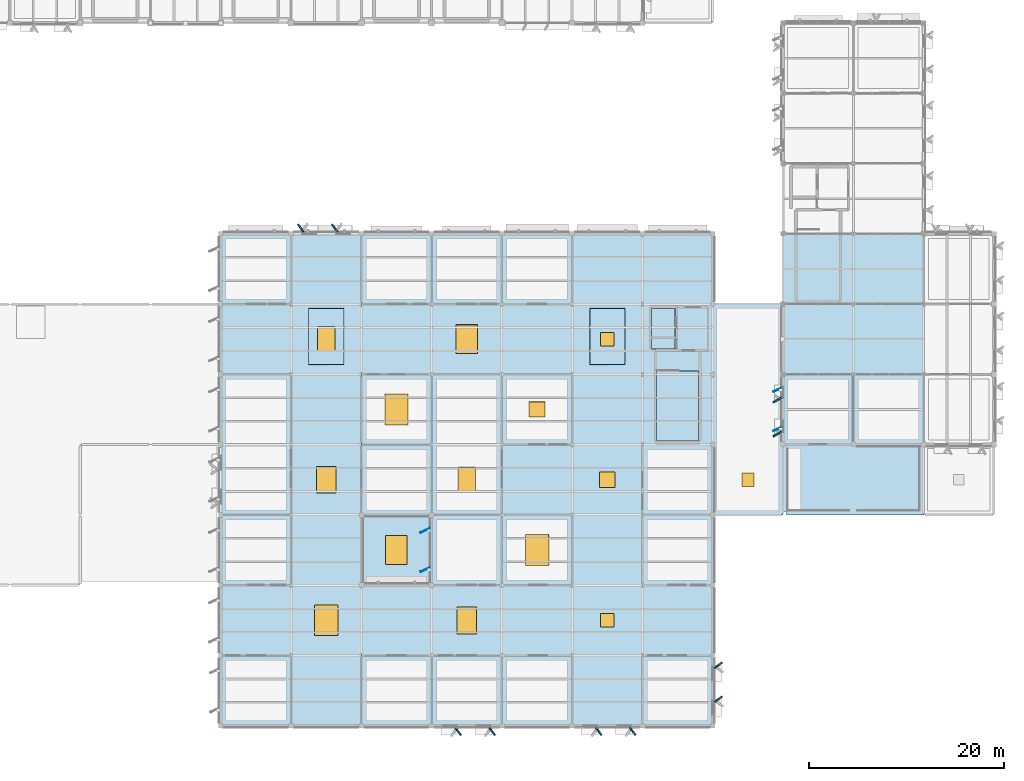
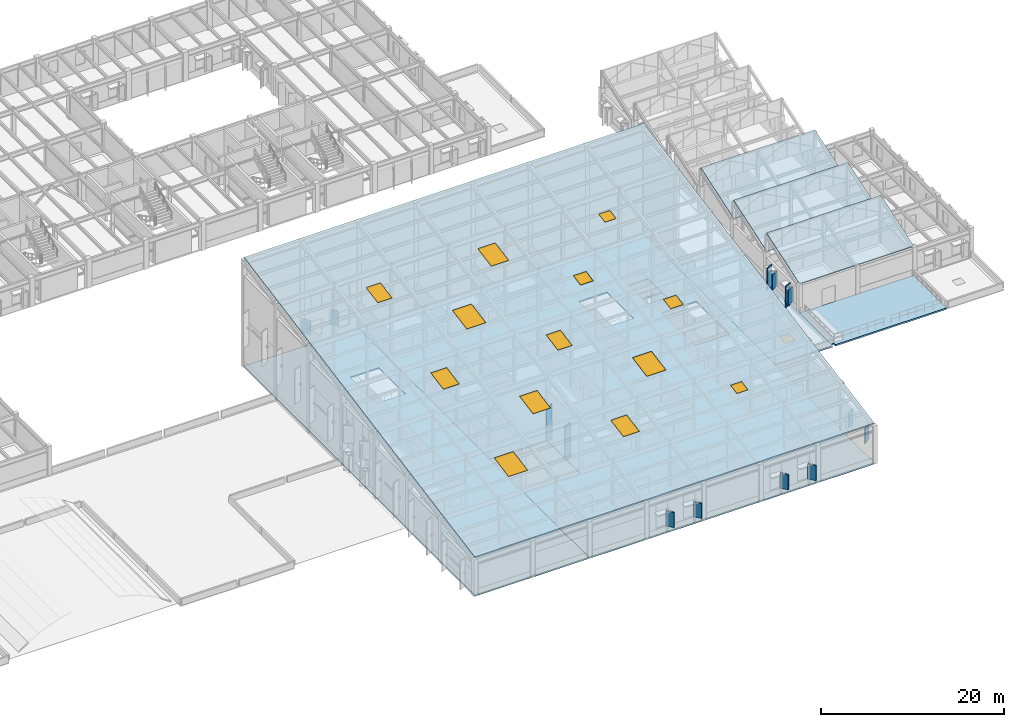
# One storey, part 23 of 82: 14 plates, 13 windows, 8 slabs, 1 door, 14 openings.
"""IFC4 building model written with IfcOpenShell, lengths in metres."""

from ifc_helpers import new_model, si_unit, direction, frame, origin, origin_2d, place, context, subcontext, project, spatial, polyline, rectangle, outline, extrude, material, layer, layer_set, type_object, element, fill, save


model = new_model("IFC4")

# Units and contexts
model_context = context("Model", 3, precision=1e-05, world=origin(), true_north=direction((0.0, 1.0)))
body_context = subcontext(model_context, "Body", "Model", "MODEL_VIEW")
ifc_project = project(units=[si_unit("LENGTHUNIT", "METRE"), si_unit("AREAUNIT", "SQUARE_METRE"), si_unit("VOLUMEUNIT", "CUBIC_METRE"), si_unit("PLANEANGLEUNIT", "RADIAN"), si_unit("MASSUNIT", "GRAM", prefix="KILO")], contexts=[model_context])

# Site, building, storey
site_placement = place(None, origin())
site = spatial("IfcSite", under=ifc_project, at=site_placement, CompositionType="ELEMENT")
building_placement = place(site_placement, origin())
building = spatial("IfcBuilding", under=site, at=building_placement, Name="Sillqori Civic Hall", CompositionType="ELEMENT")
storey_placement = place(building_placement, frame((0.0, 0.0, 14.10009765625)))
storey = spatial("IfcBuildingStorey", under=building, at=storey_placement, Name="L04", CompositionType="ELEMENT", Elevation=14.10009765625)

# Plates
ifc_material_1 = material(Name="Precast concrete C40/50 (H40)", Category="concrete")
ifc_layer_1 = layer(ifc_material_1, 0.159912109375)
ifc_layer_set_1 = layer_set([ifc_layer_1], Name="Precast concrete C40/50 (H40)")
plate_type_1 = type_object("IfcPlateType", Name="FIN-WEST-350", PredefinedType="USERDEFINED", material=ifc_layer_set_1)
for number, where, z_axis, x_axis, name in (
    (1, (121.824951171875, 37.590087890625, 0.14990234375), (0.0, 0.0, 1.0), (-0.422618261741, 0.906307787037, 0.0), "L04 west brise-soleil fin L04-17-05-W.1"),
    (2, (121.824951171875, 41.610107421875, 0.14990234375), (0.0, 0.0, 1.0), (-0.422618261741, 0.906307787037, 0.0), "L04 west brise-soleil fin L04-17-05-W.2"),
):
    element("IfcPlate", number, at=place(storey_placement, frame(where, z_axis=z_axis, x_axis=x_axis)), inside=storey, type_object=plate_type_1, Name=name, ObjectType="SOLAR_FIN", PredefinedType="USERDEFINED", context=body_context, shape_type="SweptSolid", body=[
        extrude(rectangle(XDim=0.090087890625, YDim=0.8798828125, at=origin_2d()), origin(), (0.0, 0.0, 1.0), 2.89990234375),
    ])
ifc_layer_2 = layer(ifc_material_1, 0.179931640625)
ifc_layer_set_2 = layer_set([ifc_layer_2], Name="Precast concrete C40/50 (H40)")
plate_type_2 = type_object("IfcPlateType", Name="FIN-WEST-460", PredefinedType="USERDEFINED", material=ifc_layer_set_2)
for number, where, z_axis, x_axis, name in (
    (3, (85.735107421875, 23.18994140625, 1.182373046875), (0.0, 0.0, 1.0), (-0.422618261741, 0.906307787037, 0.0), "L04 west brise-soleil fin L04-12-03-W.1"),
    (4, (85.735107421875, 27.2099609375, 1.182373046875), (0.0, 0.0, 1.0), (-0.422618261741, 0.906307787037, 0.0), "L04 west brise-soleil fin L04-12-03-W.2"),
):
    element("IfcPlate", number, at=place(storey_placement, frame(where, z_axis=z_axis, x_axis=x_axis)), inside=storey, type_object=plate_type_2, Name=name, ObjectType="SOLAR_FIN", PredefinedType="USERDEFINED", context=body_context, shape_type="SweptSolid", body=[
        extrude(rectangle(XDim=0.090087890625, YDim=1.0400390625, at=origin_2d()), origin(), (0.0, 0.0, 1.0), 4.60009765625),
    ])
ifc_layer_3 = layer(ifc_material_1, 0.159912109375)
ifc_layer_set_3 = layer_set([ifc_layer_3], Name="Precast concrete C40/50 (H40)")
plate_type_3 = type_object("IfcPlateType", Name="REV-SAW-200", PredefinedType="USERDEFINED", material=ifc_layer_set_3)
for number, where, z_axis, x_axis, name in (
    (5, (72.998046875, 58.179931640625, 1.0), (0.0, 0.0, 1.0), (0.809016994375, 0.587785252292, 0.0), "Sawtooth stone window reveal L04-10-07-N.1"),
    (6, (76.48193359375, 58.179931640625, 1.0), (0.0, 0.0, 1.0), (0.809016994375, 0.587785252292, 0.0), "Sawtooth stone window reveal L04-10-07-N.2"),
    (7, (92.60205078125, 6.6201171875, 1.0), (0.0, 0.0, 1.0), (-0.809016994375, -0.587785252292, 0.0), "Sawtooth stone window reveal L04-12-01-S.1"),
    (8, (89.117919921875, 6.6201171875, 1.0), (0.0, 0.0, 1.0), (-0.809016994375, -0.587785252292, 0.0), "Sawtooth stone window reveal L04-12-01-S.2"),
    (9, (107.001953125, 6.6201171875, 1.0), (0.0, 0.0, 1.0), (-0.809016994375, -0.587785252292, 0.0), "Sawtooth stone window reveal L04-14-01-S.1"),
    (10, (103.51806640625, 6.6201171875, 1.0), (0.0, 0.0, 1.0), (-0.809016994375, -0.587785252292, 0.0), "Sawtooth stone window reveal L04-14-01-S.2"),
    (11, (115.780029296875, 13.402099609375, 1.0), (0.0, 0.0, 1.0), (0.587785252292, -0.809016994375, 0.0), "Sawtooth stone window reveal L04-15-01-E.1"),
    (12, (115.780029296875, 9.91796875, 1.0), (0.0, 0.0, 1.0), (0.587785252292, -0.809016994375, 0.0), "Sawtooth stone window reveal L04-15-01-E.2"),
    (13, (121.830078125, 37.097900390625, 0.7998046875), (0.0, 0.0, 1.0), (-0.5, 0.866025403784, 0.0), "Sawtooth stone window reveal L04-17-05-W.1"),
    (14, (121.830078125, 40.58203125, 0.7998046875), (0.0, 0.0, 1.0), (-0.5, 0.866025403784, 0.0), "Sawtooth stone window reveal L04-17-05-W.2"),
):
    element("IfcPlate", number, at=place(storey_placement, frame(where, z_axis=z_axis, x_axis=x_axis)), inside=storey, type_object=plate_type_3, Name=name, ObjectType="REVEAL_PANEL", PredefinedType="USERDEFINED", context=body_context, shape_type="SweptSolid", body=[
        extrude(rectangle(XDim=0.159912109375, YDim=0.97998046875, at=origin_2d()), origin(), (0.0, 0.0, 1.0), 2.0),
    ])

# Slabs
ifc_material_2 = material(Name="Concrete C30/37 (H30)", Category="concrete")
ifc_layer_4 = layer(ifc_material_2, 0.179931640625)
ifc_layer_set_4 = layer_set([ifc_layer_4], Name="Concrete C30/37 (H30)")
slab_type_1 = type_object("IfcSlabType", Name="SLB-CLER-180", PredefinedType="ROOF", material=ifc_layer_set_4)
for number, where, z_axis, x_axis, name in (
    (15, (122.39990234375, 36.0, 3.89990234375), (0.0, -0.316218115397, 0.948686514869), (1.0, 0.0, 0.0), "Library folded north-light clerestory roof bay 5"),
    (16, (122.39990234375, 43.199951171875, 3.89990234375), (0.0, -0.316218115397, 0.948686514869), (1.0, 0.0, 0.0), "Library folded north-light clerestory roof bay 6"),
):
    element("IfcSlab", number, at=place(storey_placement, frame(where, z_axis=z_axis, x_axis=x_axis)), inside=storey, type_object=slab_type_1, Name=name, PredefinedType="ROOF", context=body_context, shape_type="SweptSolid", body=[
        extrude(outline(polyline([(0.0, 0.0), (14.400146484375, 0.0), (14.400146484375, 7.589389180752357), (0.0, 7.589389180752357), (0.0, 0.0)])), origin(), (0.0, 0.0, -1.0), 0.179931640625),
    ])
slab_1_placement = place(storey_placement, frame((122.39990234375, 50.39990234375, 3.89990234375), z_axis=(0.0, -0.316208465333, 0.948689731394), x_axis=(1.0, 0.0, 0.0)))
element("IfcSlab", 17, at=slab_1_placement, inside=storey, type_object=slab_type_1, Name="Library folded north-light clerestory roof bay 7", PredefinedType="ROOF", context=body_context, shape_type="SweptSolid", body=[
    extrude(outline(polyline([(0.0, 0.0), (14.400146484375, 0.0), (14.400146484375, 7.589620794063674), (0.0, 7.589620794063674), (0.0, 0.0)])), origin(), (0.0, 0.0, -1.0), 0.179931640625),
])
ifc_layer_5 = layer(ifc_material_2, 0.179931640625)
ifc_layer_set_5 = layer_set([ifc_layer_5], Name="Concrete C30/37 (H30)")
slab_type_2 = type_object("IfcSlabType", Name="SLB-FLR-180", PredefinedType="FLOOR", material=ifc_layer_set_5)
slab_2_placement = place(storey_placement, frame((0.0, 0.0, -0.18017578125)))
element("IfcSlab", 18, at=slab_2_placement, inside=storey, type_object=slab_type_2, Name="L04 V2 composite floor slab 1.1", PredefinedType="FLOOR", context=body_context, shape_type="SweptSolid", body=[
    extrude(outline(polyline([(64.800048828125, 21.60009765625), (64.800048828125, 28.800048828125), (64.800048828125, 36.0), (64.800048828125, 43.199951171875), (64.800048828125, 50.39990234375), (64.800048828125, 57.60009765625), (72.0, 57.60009765625), (79.199951171875, 57.60009765625), (79.199951171875, 50.39990234375), (79.199951171875, 43.199951171875), (79.199951171875, 36.0), (79.199951171875, 28.800048828125), (79.199951171875, 21.60009765625), (79.199951171875, 14.39990234375), (79.199951171875, 7.199951171875), (72.0, 7.199951171875), (64.800048828125, 7.199951171875), (64.800048828125, 14.39990234375), (64.800048828125, 21.60009765625)]), holes=[polyline([(77.39990234375, 49.949951171875), (73.800048828125, 49.949951171875), (73.800048828125, 44.199951171875), (77.39990234375, 44.199951171875), (77.39990234375, 49.949951171875)])]), origin(), (0.0, 0.0, 1.0), 0.18017578125),
])
slab_3_placement = place(storey_placement, frame((0.0, 0.0, -0.18017578125)))
element("IfcSlab", 19, at=slab_3_placement, inside=storey, type_object=slab_type_2, Name="L04 V2 composite floor slab 2.1", PredefinedType="FLOOR", context=body_context, shape_type="SweptSolid", body=[
    extrude(outline(polyline([(79.199951171875, 28.800048828125), (79.199951171875, 36.0), (79.199951171875, 43.199951171875), (79.199951171875, 50.39990234375), (79.199951171875, 57.60009765625), (86.39990234375, 57.60009765625), (93.60009765625, 57.60009765625), (100.800048828125, 57.60009765625), (108.0, 57.60009765625), (115.199951171875, 57.60009765625), (115.199951171875, 50.39990234375), (115.199951171875, 43.199951171875), (115.199951171875, 36.0), (115.199951171875, 28.800048828125), (115.199951171875, 21.60009765625), (115.199951171875, 14.39990234375), (115.199951171875, 7.199951171875), (108.0, 7.199951171875), (100.800048828125, 7.199951171875), (93.60009765625, 7.199951171875), (86.39990234375, 7.199951171875), (79.199951171875, 7.199951171875), (79.199951171875, 14.39990234375), (79.199951171875, 21.60009765625), (86.39990234375, 21.60009765625), (86.39990234375, 28.800048828125), (79.199951171875, 28.800048828125)]), holes=[polyline([(113.739990234375, 43.570068359375), (109.4599609375, 43.570068359375), (109.4599609375, 36.35009765625), (113.739990234375, 36.35009765625), (113.739990234375, 43.570068359375)]), polyline([(111.35009765625, 45.800048828125), (111.35009765625, 46.89990234375), (108.949951171875, 46.89990234375), (108.949951171875, 45.800048828125), (111.35009765625, 45.800048828125)]), polyline([(106.199951171875, 44.199951171875), (106.199951171875, 49.949951171875), (102.60009765625, 49.949951171875), (102.60009765625, 44.199951171875), (106.199951171875, 44.199951171875)]), polyline([(111.35009765625, 49.949951171875), (108.949951171875, 49.949951171875), (108.949951171875, 47.050048828125), (111.35009765625, 47.050048828125), (111.35009765625, 49.949951171875)])]), origin(), (0.0, 0.0, 1.0), 0.18017578125),
])

# Slab, opening, door
ifc_layer_6 = layer(ifc_material_2, 0.199951171875)
ifc_layer_set_6 = layer_set([ifc_layer_6], Name="Concrete C30/37 (H30)")
slab_type_3 = type_object("IfcSlabType", Name="SLB-ROOF-200", PredefinedType="ROOF", material=ifc_layer_set_6)
slab_4_placement = place(storey_placement, frame((0.0, 0.0, -0.2001953125)))
slab_4 = element("IfcSlab", 20, at=slab_4_placement, inside=storey, type_object=slab_type_3, Name="L04 flat structural roof over L03 2", PredefinedType="ROOF", context=body_context, shape_type="SweptSolid", body=[
    extrude(outline(polyline([(115.199951171875, 28.800048828125), (115.199951171875, 36.0), (115.199951171875, 43.199951171875), (115.199951171875, 50.39990234375), (122.39990234375, 50.39990234375), (122.39990234375, 43.199951171875), (122.39990234375, 36.0), (122.39990234375, 28.800048828125), (115.199951171875, 28.800048828125)]), holes=[polyline([(118.199951171875, 31.699951171875), (118.199951171875, 33.10009765625), (119.39990234375, 33.10009765625), (119.39990234375, 31.699951171875), (118.199951171875, 31.699951171875)])]), origin(), (0.0, 0.0, 1.0), 0.2001953125),
])
opening_1_placement = place(slab_4_placement, frame((118.800048828125, 32.39990234375, 0.0)))
opening_1 = element("IfcOpeningElement", 21, at=opening_1_placement, cuts=slab_4, Name="Opening TH-02", PredefinedType="OPENING", context=body_context, shape_type="SweptSolid", body=[
    extrude(rectangle(XDim=1.199951171875, YDim=1.39990234375, at=origin_2d()), frame((0.0, 0.0, -0.010009765625)), (0.0, 0.0, 1.0), 0.22021484375),
])
ifc_material_3 = material(Name="Galvanized Insulated Steel", Category="steel")
door_type = type_object("IfcDoorType", Name="TRP-ROOF-120X140", OperationType="NOTDEFINED", PredefinedType="TRAPDOOR", material=ifc_material_3)
door_placement = place(opening_1_placement, frame((0.0, 0.0, 0.150146484375)))
door = element("IfcDoor", 22, at=door_placement, inside=storey, type_object=door_type, Name="L04 maintenance roof access hatch 12", OperationType="SINGLE_SWING_LEFT", OverallHeight=1.39990234375, OverallWidth=1.199951171875, PredefinedType="TRAPDOOR", context=body_context, shape_type="SweptSolid", body=[
    extrude(rectangle(XDim=1.199951171875, YDim=1.39990234375, at=origin_2d()), origin(), (0.0, 0.0, 1.0), 0.050048828125),
])
fill(opening_1, door)

# Slab
ifc_material_4 = material(Name="Concrete C35/45 (H35)", Category="concrete")
ifc_layer_7 = layer(ifc_material_4, 0.199951171875)
ifc_layer_set_7 = layer_set([ifc_layer_7], Name="Concrete C35/45 (H35)")
slab_type_4 = type_object("IfcSlabType", Name="SLB-TER-200", PredefinedType="FLOOR", material=ifc_layer_set_7)
slab_5_placement = place(storey_placement, frame((0.0, 0.0, -0.2001953125)))
element("IfcSlab", 23, at=slab_5_placement, inside=storey, type_object=slab_type_4, Name="Archive Clerestory Terrace", PredefinedType="FLOOR", context=body_context, shape_type="SweptSolid", body=[
    extrude(outline(polyline([(122.39990234375, 36.0), (136.800048828125, 36.0), (136.800048828125, 28.800048828125), (122.75, 28.800048828125), (122.75, 29.14990234375), (122.39990234375, 29.14990234375), (122.39990234375, 36.0)])), origin(), (0.0, 0.0, 1.0), 0.2001953125),
])

# Slab, openings, windows
ifc_layer_8 = layer(ifc_material_2, 0.219970703125)
ifc_layer_set_8 = layer_set([ifc_layer_8], Name="Concrete C30/37 (H30)")
slab_type_5 = type_object("IfcSlabType", Name="SLB-WEDGE-220", PredefinedType="ROOF", material=ifc_layer_set_8)
slab_6_placement = place(storey_placement, frame((64.800048828125, 7.199951171875, 5.099853515625), z_axis=(-0.003900009496, -0.183347177316, 0.983040488737), x_axis=(0.999992130387, 0.0, 0.003967261622)))
slab_6 = element("IfcSlab", 24, at=slab_6_placement, inside=storey, type_object=slab_type_5, Name="Wedge Public Hall diagonal sloped roof slab", PredefinedType="ROOF", context=body_context, shape_type="SweptSolid", body=[
    extrude(outline(polyline([(0.0, 0.0), (50.40029897461592, -1.3877787807814457e-17), (50.43759181500749, 51.26925129956767), (0.0372928403915637, 51.26925129956767), (0.0, 0.0)])), origin(), (0.0, 0.0, -1.0), 0.219970703125),
])
opening_2_placement = place(slab_6_placement, frame((10.80810546875, 10.986328125, 0.0)))
opening_2 = element("IfcOpeningElement", 25, at=opening_2_placement, cuts=slab_6, Name="Opening SK-01", PredefinedType="OPENING", context=body_context, shape_type="SweptSolid", body=[
    extrude(rectangle(XDim=2.39990234375, YDim=3.199951171875, at=origin_2d()), frame((0.0, 0.0, 0.010009765625)), (0.0, 0.0, -1.0), 0.239990234375),
])
opening_3_placement = place(slab_6_placement, frame((10.81884765625, 25.634521484375, 0.0)))
opening_3 = element("IfcOpeningElement", 26, at=opening_3_placement, cuts=slab_6, Name="Opening SK-02", PredefinedType="OPENING", context=body_context, shape_type="SweptSolid", body=[
    extrude(rectangle(XDim=2.0, YDim=2.800048828125, at=origin_2d()), frame((0.0, 0.0, 0.010009765625)), (0.0, 0.0, -1.0), 0.239990234375),
])
opening_4_placement = place(slab_6_placement, frame((10.829345703125, 40.282958984375, 0.0)))
opening_4 = element("IfcOpeningElement", 27, at=opening_4_placement, cuts=slab_6, Name="Opening SK-03", PredefinedType="OPENING", context=body_context, shape_type="SweptSolid", body=[
    extrude(rectangle(XDim=1.800048828125, YDim=2.60009765625, at=origin_2d()), frame((0.0, 0.0, 0.010009765625)), (0.0, 0.0, -1.0), 0.239990234375),
])
opening_5_placement = place(slab_6_placement, frame((18.013427734375, 18.310302734375, 0.0)))
opening_5 = element("IfcOpeningElement", 28, at=opening_5_placement, cuts=slab_6, Name="Opening SK-04", PredefinedType="OPENING", context=body_context, shape_type="SweptSolid", body=[
    extrude(rectangle(XDim=2.199951171875, YDim=3.0, at=origin_2d()), frame((0.0, 0.0, 0.010009765625)), (0.0, 0.0, -1.0), 0.239990234375),
])
opening_6_placement = place(slab_6_placement, frame((18.024169921875, 32.958740234375, 0.0)))
opening_6 = element("IfcOpeningElement", 29, at=opening_6_placement, cuts=slab_6, Name="Opening SK-01", PredefinedType="OPENING", context=body_context, shape_type="SweptSolid", body=[
    extrude(rectangle(XDim=2.39990234375, YDim=3.199951171875, at=origin_2d()), frame((0.0, 0.0, 0.010009765625)), (0.0, 0.0, -1.0), 0.239990234375),
])
opening_7_placement = place(slab_6_placement, frame((25.208251953125, 10.986328125, 0.0)))
opening_7 = element("IfcOpeningElement", 30, at=opening_7_placement, cuts=slab_6, Name="Opening SK-02", PredefinedType="OPENING", context=body_context, shape_type="SweptSolid", body=[
    extrude(rectangle(XDim=2.0, YDim=2.800048828125, at=origin_2d()), frame((0.0, 0.0, 0.010009765625)), (0.0, 0.0, -1.0), 0.239990234375),
])
opening_8_placement = place(slab_6_placement, frame((25.21875, 25.634521484375, 0.0)))
opening_8 = element("IfcOpeningElement", 31, at=opening_8_placement, cuts=slab_6, Name="Opening SK-03", PredefinedType="OPENING", context=body_context, shape_type="SweptSolid", body=[
    extrude(rectangle(XDim=1.800048828125, YDim=2.60009765625, at=origin_2d()), frame((0.0, 0.0, 0.010009765625)), (0.0, 0.0, -1.0), 0.239990234375),
])
opening_9_placement = place(slab_6_placement, frame((25.2294921875, 40.282958984375, 0.0)))
opening_9 = element("IfcOpeningElement", 32, at=opening_9_placement, cuts=slab_6, Name="Opening SK-04", PredefinedType="OPENING", context=body_context, shape_type="SweptSolid", body=[
    extrude(rectangle(XDim=2.199951171875, YDim=3.0, at=origin_2d()), frame((0.0, 0.0, 0.010009765625)), (0.0, 0.0, -1.0), 0.239990234375),
])
opening_10_placement = place(slab_6_placement, frame((32.41357421875, 18.310302734375, 0.0)))
opening_10 = element("IfcOpeningElement", 33, at=opening_10_placement, cuts=slab_6, Name="Opening SK-01", PredefinedType="OPENING", context=body_context, shape_type="SweptSolid", body=[
    extrude(rectangle(XDim=2.39990234375, YDim=3.199951171875, at=origin_2d()), frame((0.0, 0.0, 0.010009765625)), (0.0, 0.0, -1.0), 0.239990234375),
])
opening_11_placement = place(slab_6_placement, frame((32.424072265625, 32.958740234375, 0.0)))
opening_11 = element("IfcOpeningElement", 34, at=opening_11_placement, cuts=slab_6, Name="Opening DM-01", PredefinedType="OPENING", context=body_context, shape_type="SweptSolid", body=[
    extrude(rectangle(XDim=1.60009765625, YDim=1.60009765625, at=origin_2d()), frame((0.0, 0.0, 0.010009765625)), (0.0, 0.0, -1.0), 0.239990234375),
])
opening_12_placement = place(slab_6_placement, frame((39.608154296875, 10.986328125, 0.0)))
opening_12 = element("IfcOpeningElement", 35, at=opening_12_placement, cuts=slab_6, Name="Opening DM-02", PredefinedType="OPENING", context=body_context, shape_type="SweptSolid", body=[
    extrude(rectangle(XDim=1.39990234375, YDim=1.39990234375, at=origin_2d()), frame((0.0, 0.0, 0.010009765625)), (0.0, 0.0, -1.0), 0.239990234375),
])
opening_13_placement = place(slab_6_placement, frame((39.618896484375, 25.634521484375, 0.0)))
opening_13 = element("IfcOpeningElement", 36, at=opening_13_placement, cuts=slab_6, Name="Opening DM-01", PredefinedType="OPENING", context=body_context, shape_type="SweptSolid", body=[
    extrude(rectangle(XDim=1.60009765625, YDim=1.60009765625, at=origin_2d()), frame((0.0, 0.0, 0.010009765625)), (0.0, 0.0, -1.0), 0.239990234375),
])
opening_14_placement = place(slab_6_placement, frame((39.62939453125, 40.282958984375, 0.0)))
opening_14 = element("IfcOpeningElement", 37, at=opening_14_placement, cuts=slab_6, Name="Opening DM-02", PredefinedType="OPENING", context=body_context, shape_type="SweptSolid", body=[
    extrude(rectangle(XDim=1.39990234375, YDim=1.39990234375, at=origin_2d()), frame((0.0, 0.0, 0.010009765625)), (0.0, 0.0, -1.0), 0.239990234375),
])
ifc_material_5 = material(Name="Laminated Solar-Control Roof Glazing", Category="glass")
window_type_1 = type_object("IfcWindowType", Name="SKY-DOM-140X140", PartitioningType="SINGLE_PANEL", PredefinedType="LIGHTDOME", material=ifc_material_5)
window_1_placement = place(opening_12_placement, origin())
window_1 = element("IfcWindow", 38, at=window_1_placement, inside=storey, type_object=window_type_1, Name="Wedge Public Hall roof skylight 11", OverallHeight=1.39990234375, OverallWidth=1.39990234375, PartitioningType="SINGLE_PANEL", PredefinedType="LIGHTDOME", context=body_context, shape_type="SweptSolid", body=[
    extrude(rectangle(XDim=1.39990234375, YDim=1.39990234375, at=origin_2d()), origin(), (0.0, 0.0, -1.0), 0.06005859375),
])
fill(opening_12, window_1)
window_2_placement = place(opening_14_placement, origin())
window_2 = element("IfcWindow", 39, at=window_2_placement, inside=storey, type_object=window_type_1, Name="Wedge Public Hall roof skylight 13", OverallHeight=1.39990234375, OverallWidth=1.39990234375, PartitioningType="SINGLE_PANEL", PredefinedType="LIGHTDOME", context=body_context, shape_type="SweptSolid", body=[
    extrude(rectangle(XDim=1.39990234375, YDim=1.39990234375, at=origin_2d()), origin(), (0.0, 0.0, -1.0), 0.06005859375),
])
fill(opening_14, window_2)
window_type_2 = type_object("IfcWindowType", Name="SKY-DOM-160X160", PartitioningType="SINGLE_PANEL", PredefinedType="LIGHTDOME", material=ifc_material_5)
window_3_placement = place(opening_11_placement, origin())
window_3 = element("IfcWindow", 40, at=window_3_placement, inside=storey, type_object=window_type_2, Name="Wedge Public Hall roof skylight 10", OverallHeight=1.60009765625, OverallWidth=1.60009765625, PartitioningType="SINGLE_PANEL", PredefinedType="LIGHTDOME", context=body_context, shape_type="SweptSolid", body=[
    extrude(rectangle(XDim=1.60009765625, YDim=1.60009765625, at=origin_2d()), origin(), (0.0, 0.0, -1.0), 0.06005859375),
])
fill(opening_11, window_3)
window_4_placement = place(opening_13_placement, origin())
window_4 = element("IfcWindow", 41, at=window_4_placement, inside=storey, type_object=window_type_2, Name="Wedge Public Hall roof skylight 12", OverallHeight=1.60009765625, OverallWidth=1.60009765625, PartitioningType="SINGLE_PANEL", PredefinedType="LIGHTDOME", context=body_context, shape_type="SweptSolid", body=[
    extrude(rectangle(XDim=1.60009765625, YDim=1.60009765625, at=origin_2d()), origin(), (0.0, 0.0, -1.0), 0.06005859375),
])
fill(opening_13, window_4)
window_type_3 = type_object("IfcWindowType", Name="SKY-WDG-180X260", PartitioningType="SINGLE_PANEL", PredefinedType="SKYLIGHT", material=ifc_material_5)
window_5_placement = place(opening_4_placement, origin())
window_5 = element("IfcWindow", 42, at=window_5_placement, inside=storey, type_object=window_type_3, Name="Wedge Public Hall roof skylight 03", OverallHeight=2.60009765625, OverallWidth=1.800048828125, PartitioningType="SINGLE_PANEL", PredefinedType="SKYLIGHT", context=body_context, shape_type="SweptSolid", body=[
    extrude(rectangle(XDim=1.800048828125, YDim=2.60009765625, at=origin_2d()), origin(), (0.0, 0.0, -1.0), 0.06005859375),
])
fill(opening_4, window_5)
window_6_placement = place(opening_8_placement, origin())
window_6 = element("IfcWindow", 43, at=window_6_placement, inside=storey, type_object=window_type_3, Name="Wedge Public Hall roof skylight 07", OverallHeight=2.60009765625, OverallWidth=1.800048828125, PartitioningType="SINGLE_PANEL", PredefinedType="SKYLIGHT", context=body_context, shape_type="SweptSolid", body=[
    extrude(rectangle(XDim=1.800048828125, YDim=2.60009765625, at=origin_2d()), origin(), (0.0, 0.0, -1.0), 0.06005859375),
])
fill(opening_8, window_6)
window_type_4 = type_object("IfcWindowType", Name="SKY-WDG-200X280", PartitioningType="SINGLE_PANEL", PredefinedType="SKYLIGHT", material=ifc_material_5)
window_7_placement = place(opening_3_placement, origin())
window_7 = element("IfcWindow", 44, at=window_7_placement, inside=storey, type_object=window_type_4, Name="Wedge Public Hall roof skylight 02", OverallHeight=2.800048828125, OverallWidth=2.0, PartitioningType="SINGLE_PANEL", PredefinedType="SKYLIGHT", context=body_context, shape_type="SweptSolid", body=[
    extrude(rectangle(XDim=2.0, YDim=2.800048828125, at=origin_2d()), origin(), (0.0, 0.0, -1.0), 0.06005859375),
])
fill(opening_3, window_7)
window_8_placement = place(opening_7_placement, origin())
window_8 = element("IfcWindow", 45, at=window_8_placement, inside=storey, type_object=window_type_4, Name="Wedge Public Hall roof skylight 06", OverallHeight=2.800048828125, OverallWidth=2.0, PartitioningType="SINGLE_PANEL", PredefinedType="SKYLIGHT", context=body_context, shape_type="SweptSolid", body=[
    extrude(rectangle(XDim=2.0, YDim=2.800048828125, at=origin_2d()), origin(), (0.0, 0.0, -1.0), 0.06005859375),
])
fill(opening_7, window_8)
window_type_5 = type_object("IfcWindowType", Name="SKY-WDG-220X300", PartitioningType="SINGLE_PANEL", PredefinedType="SKYLIGHT", material=ifc_material_5)
window_9_placement = place(opening_5_placement, origin())
window_9 = element("IfcWindow", 46, at=window_9_placement, inside=storey, type_object=window_type_5, Name="Wedge Public Hall roof skylight 04", OverallHeight=3.0, OverallWidth=2.199951171875, PartitioningType="SINGLE_PANEL", PredefinedType="SKYLIGHT", context=body_context, shape_type="SweptSolid", body=[
    extrude(rectangle(XDim=2.199951171875, YDim=3.0, at=origin_2d()), origin(), (0.0, 0.0, -1.0), 0.06005859375),
])
fill(opening_5, window_9)
window_10_placement = place(opening_9_placement, origin())
window_10 = element("IfcWindow", 47, at=window_10_placement, inside=storey, type_object=window_type_5, Name="Wedge Public Hall roof skylight 08", OverallHeight=3.0, OverallWidth=2.199951171875, PartitioningType="SINGLE_PANEL", PredefinedType="SKYLIGHT", context=body_context, shape_type="SweptSolid", body=[
    extrude(rectangle(XDim=2.199951171875, YDim=3.0, at=origin_2d()), origin(), (0.0, 0.0, -1.0), 0.06005859375),
])
fill(opening_9, window_10)
window_type_6 = type_object("IfcWindowType", Name="SKY-WDG-240X320", PartitioningType="SINGLE_PANEL", PredefinedType="SKYLIGHT", material=ifc_material_5)
window_11_placement = place(opening_2_placement, origin())
window_11 = element("IfcWindow", 48, at=window_11_placement, inside=storey, type_object=window_type_6, Name="Wedge Public Hall roof skylight 01", OverallHeight=3.199951171875, OverallWidth=2.39990234375, PartitioningType="SINGLE_PANEL", PredefinedType="SKYLIGHT", context=body_context, shape_type="SweptSolid", body=[
    extrude(rectangle(XDim=2.39990234375, YDim=3.199951171875, at=origin_2d()), origin(), (0.0, 0.0, -1.0), 0.06005859375),
])
fill(opening_2, window_11)
window_12_placement = place(opening_6_placement, origin())
window_12 = element("IfcWindow", 49, at=window_12_placement, inside=storey, type_object=window_type_6, Name="Wedge Public Hall roof skylight 05", OverallHeight=3.199951171875, OverallWidth=2.39990234375, PartitioningType="SINGLE_PANEL", PredefinedType="SKYLIGHT", context=body_context, shape_type="SweptSolid", body=[
    extrude(rectangle(XDim=2.39990234375, YDim=3.199951171875, at=origin_2d()), origin(), (0.0, 0.0, -1.0), 0.06005859375),
])
fill(opening_6, window_12)
window_13_placement = place(opening_10_placement, origin())
window_13 = element("IfcWindow", 50, at=window_13_placement, inside=storey, type_object=window_type_6, Name="Wedge Public Hall roof skylight 09", OverallHeight=3.199951171875, OverallWidth=2.39990234375, PartitioningType="SINGLE_PANEL", PredefinedType="SKYLIGHT", context=body_context, shape_type="SweptSolid", body=[
    extrude(rectangle(XDim=2.39990234375, YDim=3.199951171875, at=origin_2d()), origin(), (0.0, 0.0, -1.0), 0.06005859375),
])
fill(opening_10, window_13)

save(model, "model.ifc")
